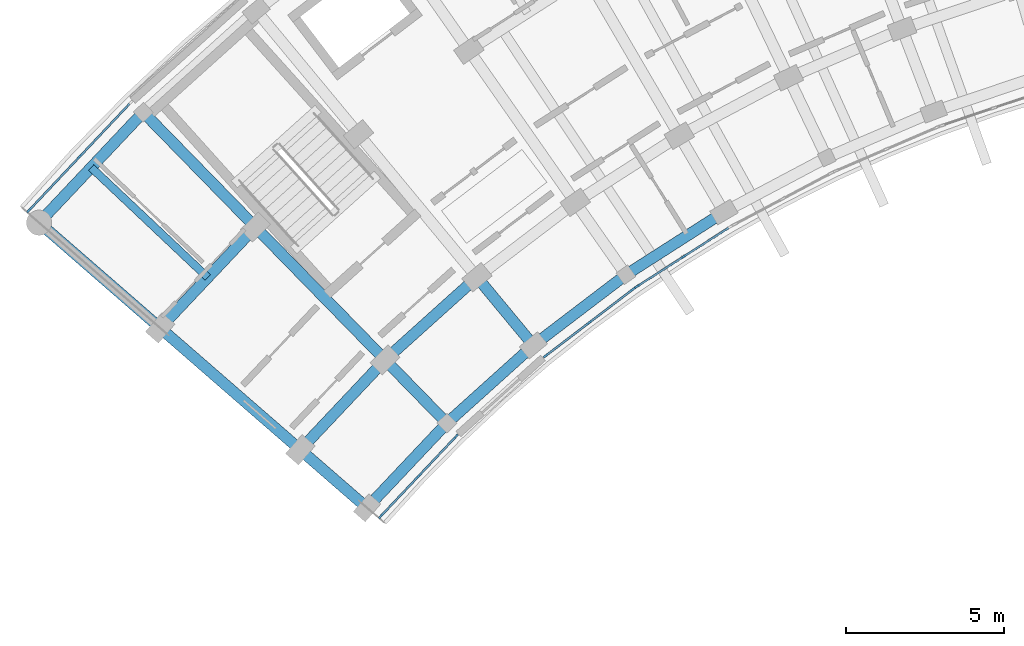
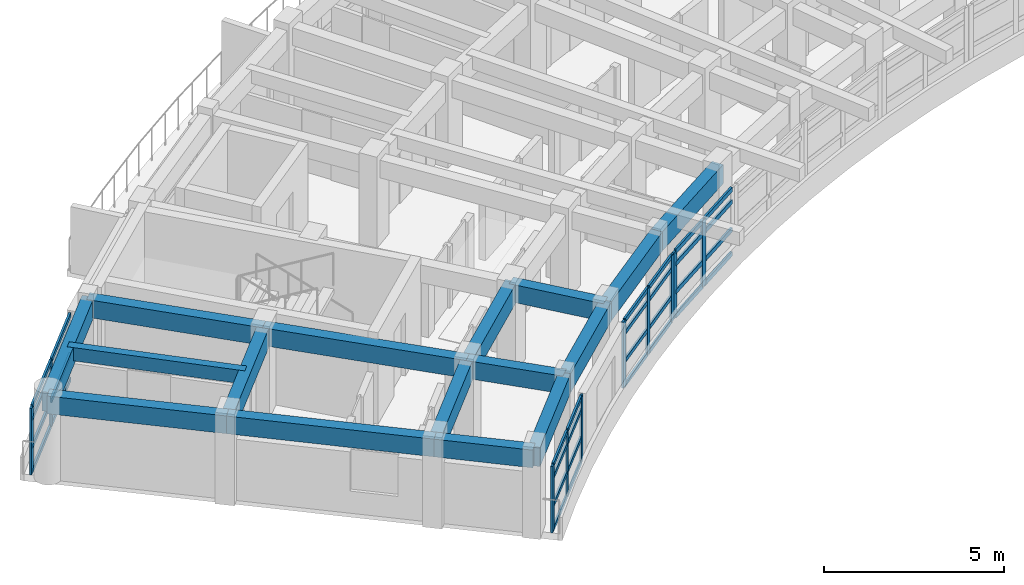
# One storey, part 3 of 55: 42 members, 16 beams, 4 elements without a shape of their own.
"""IFC4 building model written with IfcOpenShell, lengths in metres."""

from ifc_helpers import new_model, si_unit, direction, frame, origin, origin_2d, place, context, subcontext, project, spatial, rectangle, extrude, material, material_profile, profile_set, type_object, element, aggregate, save


model = new_model("IFC4")

# Units and contexts
model_context = context("Model", 3, precision=1e-05, world=origin(), true_north=direction((0.0, 1.0)))
body_context = subcontext(model_context, "Body", "Model", "MODEL_VIEW")
ifc_project = project(units=[si_unit("LENGTHUNIT", "METRE"), si_unit("AREAUNIT", "SQUARE_METRE"), si_unit("VOLUMEUNIT", "CUBIC_METRE"), si_unit("PLANEANGLEUNIT", "RADIAN"), si_unit("MASSUNIT", "GRAM", prefix="KILO")], contexts=[model_context])

# Site, building, storey
site_placement = place(None, origin())
site = spatial("IfcSite", under=ifc_project, at=site_placement, CompositionType="ELEMENT")
building_placement = place(site_placement, origin())
building = spatial("IfcBuilding", under=site, at=building_placement, Name="Zimvara Arc Housing Community", CompositionType="ELEMENT")
storey_placement = place(building_placement, frame((0.0, 0.0, 14.300048828125)))
storey = spatial("IfcBuildingStorey", under=building, at=storey_placement, Name="L04", CompositionType="ELEMENT", Elevation=14.300048828125)

# Beams
ifc_material_1 = material(Name="Concrete C40/50", Category="concrete")
ifc_material_profile_1 = material_profile(ifc_material_1, rectangle(XDim=0.25, YDim=0.449951171875, at=origin_2d()), Name="RC 250x450")
ifc_profile_set_1 = profile_set([ifc_material_profile_1], Name="Concrete C40/50")
beam_type_1 = type_object("IfcBeamType", Name="BM-RC-250x450", PredefinedType="JOIST", material=ifc_profile_set_1)
beam_1_placement = place(storey_placement, frame((5.904296875, 81.3935546875, 2.635009765625), z_axis=(-0.727299876429, 0.686319815936, 0.0), x_axis=(-0.686319815936, -0.727299876429, 0.0)))
element("IfcBeam", 1, at=beam_1_placement, inside=storey, type_object=beam_type_1, Name="bm:blkA:L04:joist:b0", PredefinedType="JOIST", context=body_context, shape_type="SweptSolid", body=[
    extrude(rectangle(XDim=0.25, YDim=0.449951171875, at=origin_2d()), origin(), (0.0, 0.0, 1.0), 5.075927734375),
])
ifc_material_2 = material(Name="Concrete C40/50", Category="concrete")
ifc_material_profile_2 = material_profile(ifc_material_2, rectangle(XDim=0.35009765625, YDim=0.60009765625, at=origin_2d()), Name="RC 350x600")
ifc_profile_set_2 = profile_set([ifc_material_profile_2], Name="Concrete C40/50")
beam_type_2 = type_object("IfcBeamType", Name="BM-RC-350x600", PredefinedType="BEAM", material=ifc_profile_set_2)
beam_2_placement = place(storey_placement, frame((10.947509765625, 74.101318359375, 2.56005859375), z_axis=(-0.754733151583, 0.656031912259, 0.0), x_axis=(-0.656031912259, -0.754733151583, 0.0)))
element("IfcBeam", 2, at=beam_2_placement, inside=storey, type_object=beam_type_2, Name="bm:blkA:L04:rad:b0:r01", PredefinedType="BEAM", context=body_context, shape_type="SweptSolid", body=[
    extrude(rectangle(XDim=0.35009765625, YDim=0.60009765625, at=origin_2d()), origin(), (0.0, 0.0, 1.0), 2.800048828125),
])
beam_3_placement = place(storey_placement, frame((8.834228515625, 75.938232421875, 2.56005859375), z_axis=(-0.754692223258, 0.656078995362, 0.0), x_axis=(-0.656078995362, -0.754692223258, 0.0)))
element("IfcBeam", 3, at=beam_3_placement, inside=storey, type_object=beam_type_2, Name="bm:blkA:L04:rad:b0:r12", PredefinedType="BEAM", context=body_context, shape_type="SweptSolid", body=[
    extrude(rectangle(XDim=0.35009765625, YDim=0.60009765625, at=origin_2d()), origin(), (0.0, 0.0, 1.0), 5.8798828125),
])
beam_4_placement = place(storey_placement, frame((4.396728515625, 79.7958984375, 2.56005859375), z_axis=(-0.754716217499, 0.656051393599, 0.0), x_axis=(-0.656051393599, -0.754716217499, 0.0)))
element("IfcBeam", 4, at=beam_4_placement, inside=storey, type_object=beam_type_2, Name="bm:blkA:L04:rad:b0:r23", PredefinedType="BEAM", context=body_context, shape_type="SweptSolid", body=[
    extrude(rectangle(XDim=0.35009765625, YDim=0.60009765625, at=origin_2d()), origin(), (0.0, 0.0, 1.0), 5.080078125),
])
beam_5_placement = place(storey_placement, frame((13.476318359375, 76.781005859375, 2.56005859375), z_axis=(-0.698643013894, 0.71547043205, 0.0), x_axis=(-0.71547043205, -0.698643013894, 0.0)))
element("IfcBeam", 5, at=beam_5_placement, inside=storey, type_object=beam_type_2, Name="bm:blkA:L04:rad:b1:r01", PredefinedType="BEAM", context=body_context, shape_type="SweptSolid", body=[
    extrude(rectangle(XDim=0.35009765625, YDim=0.60009765625, at=origin_2d()), origin(), (0.0, 0.0, 1.0), 2.800048828125),
])
beam_6_placement = place(storey_placement, frame((11.52001953125, 78.784423828125, 2.56005859375), z_axis=(-0.698669844288, 0.715444231707, 0.0), x_axis=(-0.715444231707, -0.698669844288, 0.0)))
element("IfcBeam", 6, at=beam_6_placement, inside=storey, type_object=beam_type_2, Name="bm:blkA:L04:rad:b1:r12", PredefinedType="BEAM", context=body_context, shape_type="SweptSolid", body=[
    extrude(rectangle(XDim=0.35009765625, YDim=0.60009765625, at=origin_2d()), origin(), (0.0, 0.0, 1.0), 5.8798828125),
])
beam_7_placement = place(storey_placement, frame((7.411865234375, 82.9912109375, 2.56005859375), z_axis=(-0.698670885014, 0.71544321538, 0.0), x_axis=(-0.71544321538, -0.698670885014, 0.0)))
element("IfcBeam", 7, at=beam_7_placement, inside=storey, type_object=beam_type_2, Name="bm:blkA:L04:rad:b1:r23", PredefinedType="BEAM", context=body_context, shape_type="SweptSolid", body=[
    extrude(rectangle(XDim=0.35009765625, YDim=0.60009765625, at=origin_2d()), origin(), (0.0, 0.0, 1.0), 5.080078125),
])
beam_8_placement = place(storey_placement, frame((16.215087890625, 79.245361328125, 2.56005859375), z_axis=(-0.637917412223, 0.770104781951, 0.0), x_axis=(-0.770104781951, -0.637917412223, 0.0)))
element("IfcBeam", 8, at=beam_8_placement, inside=storey, type_object=beam_type_2, Name="bm:blkA:L04:rad:b2:r01", PredefinedType="BEAM", context=body_context, shape_type="SweptSolid", body=[
    extrude(rectangle(XDim=0.35009765625, YDim=0.60009765625, at=origin_2d()), origin(), (0.0, 0.0, 1.0), 2.800048828125),
])
ifc_material_3 = material(Name="Concrete C40/50", Category="concrete")
ifc_material_profile_3 = material_profile(ifc_material_3, rectangle(XDim=0.35009765625, YDim=0.64990234375, at=origin_2d()), Name="RC 350x650")
ifc_profile_set_3 = profile_set([ifc_material_profile_3], Name="Concrete C40/50")
beam_type_3 = type_object("IfcBeamType", Name="BM-RC-350x650", PredefinedType="BEAM", material=ifc_profile_set_3)
beam_9_placement = place(storey_placement, frame((10.947509765625, 74.101318359375, 2.534912109375), z_axis=(0.686335517678, 0.727285059088, 0.0), x_axis=(-0.727285059088, 0.686335517678, 0.0)))
element("IfcBeam", 9, at=beam_9_placement, inside=storey, type_object=beam_type_3, Name="bm:blkA:L04:chord:r0:b0", PredefinedType="BEAM", context=body_context, shape_type="SweptSolid", body=[
    extrude(rectangle(XDim=0.35009765625, YDim=0.64990234375, at=origin_2d()), origin(), (0.0, 0.0, 1.0), 3.6845703125),
])
beam_10_placement = place(storey_placement, frame((13.476318359375, 76.781005859375, 2.534912109375), z_axis=(0.743366631239, 0.668884183966, 0.0), x_axis=(-0.668884183966, 0.743366631239, 0.0)))
element("IfcBeam", 10, at=beam_10_placement, inside=storey, type_object=beam_type_3, Name="bm:blkA:L04:chord:r0:b1", PredefinedType="BEAM", context=body_context, shape_type="SweptSolid", body=[
    extrude(rectangle(XDim=0.35009765625, YDim=0.64990234375, at=origin_2d()), origin(), (0.0, 0.0, 1.0), 3.684326171875),
])
beam_11_placement = place(storey_placement, frame((16.215087890625, 79.245361328125, 2.534912109375), z_axis=(0.795453014049, 0.606015265847, 0.0), x_axis=(-0.606015265847, 0.795453014049, 0.0)))
element("IfcBeam", 11, at=beam_11_placement, inside=storey, type_object=beam_type_3, Name="bm:blkA:L04:chord:r0:b2", PredefinedType="BEAM", context=body_context, shape_type="SweptSolid", body=[
    extrude(rectangle(XDim=0.35009765625, YDim=0.64990234375, at=origin_2d()), origin(), (0.0, 0.0, 1.0), 3.6845703125),
])
beam_12_placement = place(storey_placement, frame((19.14599609375, 81.478271484375, 2.534912109375), z_axis=(0.842272604079, 0.539051816079, 0.0), x_axis=(-0.539051816079, 0.842272604079, 0.0)))
element("IfcBeam", 12, at=beam_12_placement, inside=storey, type_object=beam_type_3, Name="bm:blkA:L04:chord:r0:b3", PredefinedType="BEAM", context=body_context, shape_type="SweptSolid", body=[
    extrude(rectangle(XDim=0.35009765625, YDim=0.64990234375, at=origin_2d()), origin(), (0.0, 0.0, 1.0), 3.684326171875),
])
beam_13_placement = place(storey_placement, frame((8.834228515625, 75.938232421875, 2.534912109375), z_axis=(0.686315710793, 0.727303750243, 0.0), x_axis=(-0.727303750243, 0.686315710793, 0.0)))
element("IfcBeam", 13, at=beam_13_placement, inside=storey, type_object=beam_type_3, Name="bm:blkA:L04:chord:r1:b0", PredefinedType="BEAM", context=body_context, shape_type="SweptSolid", body=[
    extrude(rectangle(XDim=0.35009765625, YDim=0.64990234375, at=origin_2d()), origin(), (0.0, 0.0, 1.0), 3.913330078125),
])
beam_14_placement = place(storey_placement, frame((11.52001953125, 78.784423828125, 2.534912109375), z_axis=(0.743402719516, 0.668844074965, 0.0), x_axis=(-0.668844074965, 0.743402719516, 0.0)))
element("IfcBeam", 14, at=beam_14_placement, inside=storey, type_object=beam_type_3, Name="bm:blkA:L04:chord:r1:b1", PredefinedType="BEAM", context=body_context, shape_type="SweptSolid", body=[
    extrude(rectangle(XDim=0.35009765625, YDim=0.64990234375, at=origin_2d()), origin(), (0.0, 0.0, 1.0), 3.9130859375),
])
beam_15_placement = place(storey_placement, frame((4.396728515625, 79.7958984375, 2.534912109375), z_axis=(0.686303637813, 0.727315142648, 0.0), x_axis=(-0.727315142648, 0.686303637813, 0.0)))
element("IfcBeam", 15, at=beam_15_placement, inside=storey, type_object=beam_type_3, Name="bm:blkA:L04:chord:r2:b0", PredefinedType="BEAM", context=body_context, shape_type="SweptSolid", body=[
    extrude(rectangle(XDim=0.35009765625, YDim=0.64990234375, at=origin_2d()), origin(), (0.0, 0.0, 1.0), 4.393310546875),
])
beam_16_placement = place(storey_placement, frame((0.562744140625, 83.128662109375, 2.534912109375), z_axis=(0.6862954451, 0.727322873307, 0.0), x_axis=(-0.727322873307, 0.6862954451, 0.0)))
element("IfcBeam", 16, at=beam_16_placement, inside=storey, type_object=beam_type_3, Name="bm:blkA:L04:chord:r3:b0", PredefinedType="BEAM", context=body_context, shape_type="SweptSolid", body=[
    extrude(rectangle(XDim=0.35009765625, YDim=0.64990234375, at=origin_2d()), origin(), (0.0, 0.0, 1.0), 4.80810546875),
])

# Curtain wall, members
ifc_material_4 = material(Name="Anodised Aluminium AW-6063", Category="aluminium")
curtain_wall_type_1 = type_object("IfcCurtainWallType", Name="CW-SYS-06", PredefinedType="USERDEFINED", material=ifc_material_4)
curtain_wall_1_placement = place(storey_placement, origin())
curtain_wall_1 = element("IfcCurtainWall", 17, at=curtain_wall_1_placement, inside=storey, type_object=curtain_wall_type_1, Name="cw:blkA:L04:in:b0", ObjectType="CURTAIN WALL", PredefinedType="USERDEFINED")
ifc_material_5 = material(Name="Anodised Aluminium AW-6063", Category="aluminium")
ifc_material_profile_4 = material_profile(ifc_material_5, rectangle(XDim=0.06494140625, YDim=0.179931640625, at=origin_2d()), Name="ALU 65x180")
ifc_profile_set_4 = profile_set([ifc_material_profile_4], Name="Anodised Aluminium AW-6063")
member_type_1 = type_object("IfcMemberType", Name="CWM-65x150", PredefinedType="MULLION", material=ifc_profile_set_4)
member_1_placement = place(storey_placement, frame((11.388427734375, 73.840576171875, 0.0), z_axis=(0.0, 0.0, 1.0), x_axis=(-0.727293280483, 0.686326805658, 0.0)))
member_1 = element("IfcMember", 18, at=member_1_placement, type_object=member_type_1, Name="CW06 mullion 1", PredefinedType="MULLION", context=body_context, shape_type="SweptSolid", body=[
    extrude(rectangle(XDim=0.06494140625, YDim=0.179931640625, at=origin_2d()), origin(), (0.0, 0.0, 1.0), 2.25),
])
member_2_placement = place(storey_placement, frame((12.5751953125, 75.098388671875, 0.0), z_axis=(0.0, 0.0, 1.0), x_axis=(-0.727293280483, 0.686326805658, 0.0)))
member_2 = element("IfcMember", 19, at=member_2_placement, type_object=member_type_1, Name="CW06 mullion 2", PredefinedType="MULLION", context=body_context, shape_type="SweptSolid", body=[
    extrude(rectangle(XDim=0.06494140625, YDim=0.179931640625, at=origin_2d()), origin(), (0.0, 0.0, 1.0), 2.25),
])
member_3_placement = place(storey_placement, frame((13.761962890625, 76.35595703125, 0.0), z_axis=(0.0, 0.0, 1.0), x_axis=(-0.727293280483, 0.686326805658, 0.0)))
member_3 = element("IfcMember", 20, at=member_3_placement, type_object=member_type_1, Name="CW06 mullion 3", PredefinedType="MULLION", context=body_context, shape_type="SweptSolid", body=[
    extrude(rectangle(XDim=0.06494140625, YDim=0.179931640625, at=origin_2d()), origin(), (0.0, 0.0, 1.0), 2.25),
])

ifc_material_6 = material(Name="Anodised Aluminium AW-6063", Category="aluminium")
curtain_wall_type_2 = type_object("IfcCurtainWallType", Name="CW-SYS-08", PredefinedType="USERDEFINED", material=ifc_material_6)
curtain_wall_2_placement = place(storey_placement, origin())
curtain_wall_2 = element("IfcCurtainWall", 21, at=curtain_wall_2_placement, inside=storey, type_object=curtain_wall_type_2, Name="cw:blkA:L04:in:b2", ObjectType="CURTAIN WALL", PredefinedType="USERDEFINED")
member_4_placement = place(storey_placement, frame((16.607666015625, 78.91650390625, 0.0), z_axis=(0.0, 0.0, 1.0), x_axis=(-0.605988318533, 0.795473543119, 0.0)))
member_4 = element("IfcMember", 22, at=member_4_placement, type_object=member_type_1, Name="CW08 mullion 1", PredefinedType="MULLION", context=body_context, shape_type="SweptSolid", body=[
    extrude(rectangle(XDim=0.06494140625, YDim=0.179931640625, at=origin_2d()), origin(), (0.0, 0.0, 1.0), 2.25),
])
member_5_placement = place(storey_placement, frame((17.9833984375, 79.96435546875, 0.0), z_axis=(0.0, 0.0, 1.0), x_axis=(-0.605988318533, 0.795473543119, 0.0)))
member_5 = element("IfcMember", 23, at=member_5_placement, type_object=member_type_1, Name="CW08 mullion 2", PredefinedType="MULLION", context=body_context, shape_type="SweptSolid", body=[
    extrude(rectangle(XDim=0.06494140625, YDim=0.179931640625, at=origin_2d()), origin(), (0.0, 0.0, 1.0), 2.25),
])
member_6_placement = place(storey_placement, frame((19.35888671875, 81.012451171875, 0.0), z_axis=(0.0, 0.0, 1.0), x_axis=(-0.605988318533, 0.795473543119, 0.0)))
member_6 = element("IfcMember", 24, at=member_6_placement, type_object=member_type_1, Name="CW08 mullion 3", PredefinedType="MULLION", context=body_context, shape_type="SweptSolid", body=[
    extrude(rectangle(XDim=0.06494140625, YDim=0.179931640625, at=origin_2d()), origin(), (0.0, 0.0, 1.0), 2.25),
])

ifc_material_7 = material(Name="Anodised Aluminium AW-6063", Category="aluminium")
curtain_wall_type_3 = type_object("IfcCurtainWallType", Name="CW-SYS-05", PredefinedType="USERDEFINED", material=ifc_material_7)
curtain_wall_3_placement = place(storey_placement, origin())
curtain_wall_3 = element("IfcCurtainWall", 25, at=curtain_wall_3_placement, inside=storey, type_object=curtain_wall_type_3, Name="cw:blkA:L04:out:b0", ObjectType="CURTAIN WALL", PredefinedType="USERDEFINED")
ifc_material_8 = material(Name="Anodised Aluminium AW-6063", Category="aluminium")
ifc_material_profile_5 = material_profile(ifc_material_8, rectangle(XDim=0.06494140625, YDim=0.195068359375, at=origin_2d()), Name="ALU 65x195")
ifc_profile_set_5 = profile_set([ifc_material_profile_5], Name="Anodised Aluminium AW-6063")
member_type_2 = type_object("IfcMemberType", Name="CWM-65x180", PredefinedType="MULLION", material=ifc_profile_set_5)
member_7_placement = place(storey_placement, frame((0.248779296875, 83.524169921875, 0.0), z_axis=(0.0, 0.0, 1.0), x_axis=(-0.727293647725, 0.686326416495, 0.0)))
member_7 = element("IfcMember", 26, at=member_7_placement, type_object=member_type_2, Name="CW05 mullion 1", PredefinedType="MULLION", context=body_context, shape_type="SweptSolid", body=[
    extrude(rectangle(XDim=0.06494140625, YDim=0.195068359375, at=origin_2d()), origin(), (0.0, 0.0, 1.0), 2.25),
])
member_8_placement = place(storey_placement, frame((1.849365234375, 85.219970703125, 0.0), z_axis=(0.0, 0.0, 1.0), x_axis=(-0.727293647725, 0.686326416495, 0.0)))
member_8 = element("IfcMember", 27, at=member_8_placement, type_object=member_type_2, Name="CW05 mullion 2", PredefinedType="MULLION", context=body_context, shape_type="SweptSolid", body=[
    extrude(rectangle(XDim=0.06494140625, YDim=0.195068359375, at=origin_2d()), origin(), (0.0, 0.0, 1.0), 2.25),
])

ifc_material_9 = material(Name="Anodised Aluminium AW-6063", Category="aluminium")
curtain_wall_type_4 = type_object("IfcCurtainWallType", Name="CW-SYS-01", PredefinedType="USERDEFINED", material=ifc_material_9)
curtain_wall_4_placement = place(storey_placement, origin())
curtain_wall_4 = element("IfcCurtainWall", 28, at=curtain_wall_4_placement, inside=storey, type_object=curtain_wall_type_4, Name="cw:blkA:L04:in:b3", ObjectType="CURTAIN WALL", PredefinedType="USERDEFINED")
member_9_placement = place(storey_placement, frame((19.510498046875, 81.118408203125, 0.0), z_axis=(0.0, 0.0, 1.0), x_axis=(-0.539064085203, 0.842264751752, 0.0)))
member_9 = element("IfcMember", 29, at=member_9_placement, type_object=member_type_2, Name="CW01 mullion 1", PredefinedType="MULLION", context=body_context, shape_type="SweptSolid", body=[
    extrude(rectangle(XDim=0.06494140625, YDim=0.195068359375, at=origin_2d()), origin(), (0.0, 0.0, 1.0), 2.25),
])
member_10_placement = place(storey_placement, frame((20.967041015625, 82.050537109375, 0.0), z_axis=(0.0, 0.0, 1.0), x_axis=(-0.539064085203, 0.842264751752, 0.0)))
member_10 = element("IfcMember", 30, at=member_10_placement, type_object=member_type_2, Name="CW01 mullion 2", PredefinedType="MULLION", context=body_context, shape_type="SweptSolid", body=[
    extrude(rectangle(XDim=0.06494140625, YDim=0.195068359375, at=origin_2d()), origin(), (0.0, 0.0, 1.0), 2.25),
])

# Member
ifc_material_10 = material(Name="Anodised Aluminium AW-6063", Category="aluminium")
ifc_material_profile_6 = material_profile(ifc_material_10, rectangle(XDim=0.06494140625, YDim=0.139892578125, at=origin_2d()), Name="ALU 65x140")
ifc_profile_set_6 = profile_set([ifc_material_profile_6], Name="Anodised Aluminium AW-6063")
member_type_3 = type_object("IfcMemberType", Name="CWT-65x120", PredefinedType="USERDEFINED", material=ifc_profile_set_6)
member_11_placement = place(storey_placement, frame((11.41064453125, 73.8642578125, 0.032470703125), z_axis=(0.686347817597, 0.727273451516, 0.0), x_axis=(-0.727273451516, 0.686347817597, 0.0)))
member_11 = element("IfcMember", 31, at=member_11_placement, type_object=member_type_3, Name="CW06 transom 1.1", ObjectType="TRANSOM", PredefinedType="USERDEFINED", context=body_context, shape_type="SweptSolid", body=[
    extrude(rectangle(XDim=0.06494140625, YDim=0.139892578125, at=origin_2d()), origin(), (0.0, 0.0, 1.0), 1.664306640625),
])

member_12_placement = place(storey_placement, frame((11.41064453125, 73.8642578125, 0.849853515625), z_axis=(0.686347817597, 0.727273451516, 0.0), x_axis=(-0.727273451516, 0.686347817597, 0.0)))
member_12 = element("IfcMember", 32, at=member_12_placement, type_object=member_type_3, Name="CW06 transom 1.2", ObjectType="TRANSOM", PredefinedType="USERDEFINED", context=body_context, shape_type="SweptSolid", body=[
    extrude(rectangle(XDim=0.06494140625, YDim=0.139892578125, at=origin_2d()), origin(), (0.0, 0.0, 1.0), 1.664306640625),
])

member_13_placement = place(storey_placement, frame((11.41064453125, 73.8642578125, 1.800048828125), z_axis=(0.686347817597, 0.727273451516, 0.0), x_axis=(-0.727273451516, 0.686347817597, 0.0)))
member_13 = element("IfcMember", 33, at=member_13_placement, type_object=member_type_3, Name="CW06 transom 1.3", ObjectType="TRANSOM", PredefinedType="USERDEFINED", context=body_context, shape_type="SweptSolid", body=[
    extrude(rectangle(XDim=0.06494140625, YDim=0.139892578125, at=origin_2d()), origin(), (0.0, 0.0, 1.0), 1.664306640625),
])

member_14_placement = place(storey_placement, frame((11.41064453125, 73.8642578125, 2.217529296875), z_axis=(0.686347817597, 0.727273451516, 0.0), x_axis=(-0.727273451516, 0.686347817597, 0.0)))
member_14 = element("IfcMember", 34, at=member_14_placement, type_object=member_type_3, Name="CW06 transom 1.4", ObjectType="TRANSOM", PredefinedType="USERDEFINED", context=body_context, shape_type="SweptSolid", body=[
    extrude(rectangle(XDim=0.06494140625, YDim=0.139892578125, at=origin_2d()), origin(), (0.0, 0.0, 1.0), 1.664306640625),
])

member_15_placement = place(storey_placement, frame((12.597412109375, 75.1220703125, 0.032470703125), z_axis=(0.686347817597, 0.727273451516, 0.0), x_axis=(-0.727273451516, 0.686347817597, 0.0)))
member_15 = element("IfcMember", 35, at=member_15_placement, type_object=member_type_3, Name="CW06 transom 2.1", ObjectType="TRANSOM", PredefinedType="USERDEFINED", context=body_context, shape_type="SweptSolid", body=[
    extrude(rectangle(XDim=0.06494140625, YDim=0.139892578125, at=origin_2d()), origin(), (0.0, 0.0, 1.0), 1.664306640625),
])

member_16_placement = place(storey_placement, frame((12.597412109375, 75.1220703125, 0.849853515625), z_axis=(0.686347817597, 0.727273451516, 0.0), x_axis=(-0.727273451516, 0.686347817597, 0.0)))
member_16 = element("IfcMember", 36, at=member_16_placement, type_object=member_type_3, Name="CW06 transom 2.2", ObjectType="TRANSOM", PredefinedType="USERDEFINED", context=body_context, shape_type="SweptSolid", body=[
    extrude(rectangle(XDim=0.06494140625, YDim=0.139892578125, at=origin_2d()), origin(), (0.0, 0.0, 1.0), 1.664306640625),
])

member_17_placement = place(storey_placement, frame((12.597412109375, 75.1220703125, 1.800048828125), z_axis=(0.686347817597, 0.727273451516, 0.0), x_axis=(-0.727273451516, 0.686347817597, 0.0)))
member_17 = element("IfcMember", 37, at=member_17_placement, type_object=member_type_3, Name="CW06 transom 2.3", ObjectType="TRANSOM", PredefinedType="USERDEFINED", context=body_context, shape_type="SweptSolid", body=[
    extrude(rectangle(XDim=0.06494140625, YDim=0.139892578125, at=origin_2d()), origin(), (0.0, 0.0, 1.0), 1.664306640625),
])

member_18_placement = place(storey_placement, frame((12.597412109375, 75.1220703125, 2.217529296875), z_axis=(0.686347817597, 0.727273451516, 0.0), x_axis=(-0.727273451516, 0.686347817597, 0.0)))
member_18 = element("IfcMember", 38, at=member_18_placement, type_object=member_type_3, Name="CW06 transom 2.4", ObjectType="TRANSOM", PredefinedType="USERDEFINED", context=body_context, shape_type="SweptSolid", body=[
    extrude(rectangle(XDim=0.06494140625, YDim=0.139892578125, at=origin_2d()), origin(), (0.0, 0.0, 1.0), 1.664306640625),
])

aggregate(curtain_wall_1, [member_1, member_2, member_3, member_11, member_12, member_13, member_14, member_15, member_16, member_17, member_18])

member_19_placement = place(storey_placement, frame((16.633544921875, 78.936279296875, 0.032470703125), z_axis=(0.795488960577, 0.605968079687, 0.0), x_axis=(-0.605968079687, 0.795488960577, 0.0)))
member_19 = element("IfcMember", 39, at=member_19_placement, type_object=member_type_3, Name="CW08 transom 1.1", ObjectType="TRANSOM", PredefinedType="USERDEFINED", context=body_context, shape_type="SweptSolid", body=[
    extrude(rectangle(XDim=0.06494140625, YDim=0.139892578125, at=origin_2d()), origin(), (0.0, 0.0, 1.0), 1.664306640625),
])

member_20_placement = place(storey_placement, frame((16.633544921875, 78.936279296875, 0.849853515625), z_axis=(0.795488960577, 0.605968079687, 0.0), x_axis=(-0.605968079687, 0.795488960577, 0.0)))
member_20 = element("IfcMember", 40, at=member_20_placement, type_object=member_type_3, Name="CW08 transom 1.2", ObjectType="TRANSOM", PredefinedType="USERDEFINED", context=body_context, shape_type="SweptSolid", body=[
    extrude(rectangle(XDim=0.06494140625, YDim=0.139892578125, at=origin_2d()), origin(), (0.0, 0.0, 1.0), 1.664306640625),
])

member_21_placement = place(storey_placement, frame((16.633544921875, 78.936279296875, 1.800048828125), z_axis=(0.795488960577, 0.605968079687, 0.0), x_axis=(-0.605968079687, 0.795488960577, 0.0)))
member_21 = element("IfcMember", 41, at=member_21_placement, type_object=member_type_3, Name="CW08 transom 1.3", ObjectType="TRANSOM", PredefinedType="USERDEFINED", context=body_context, shape_type="SweptSolid", body=[
    extrude(rectangle(XDim=0.06494140625, YDim=0.139892578125, at=origin_2d()), origin(), (0.0, 0.0, 1.0), 1.664306640625),
])

member_22_placement = place(storey_placement, frame((16.633544921875, 78.936279296875, 2.217529296875), z_axis=(0.795488960577, 0.605968079687, 0.0), x_axis=(-0.605968079687, 0.795488960577, 0.0)))
member_22 = element("IfcMember", 42, at=member_22_placement, type_object=member_type_3, Name="CW08 transom 1.4", ObjectType="TRANSOM", PredefinedType="USERDEFINED", context=body_context, shape_type="SweptSolid", body=[
    extrude(rectangle(XDim=0.06494140625, YDim=0.139892578125, at=origin_2d()), origin(), (0.0, 0.0, 1.0), 1.664306640625),
])

member_23_placement = place(storey_placement, frame((18.00927734375, 79.984130859375, 0.032470703125), z_axis=(0.795435087713, 0.606038795157, 0.0), x_axis=(-0.606038795157, 0.795435087713, 0.0)))
member_23 = element("IfcMember", 43, at=member_23_placement, type_object=member_type_3, Name="CW08 transom 2.1", ObjectType="TRANSOM", PredefinedType="USERDEFINED", context=body_context, shape_type="SweptSolid", body=[
    extrude(rectangle(XDim=0.06494140625, YDim=0.139892578125, at=origin_2d()), origin(), (0.0, 0.0, 1.0), 1.6640625),
])

member_24_placement = place(storey_placement, frame((18.00927734375, 79.984130859375, 0.849853515625), z_axis=(0.795435087713, 0.606038795157, 0.0), x_axis=(-0.606038795157, 0.795435087713, 0.0)))
member_24 = element("IfcMember", 44, at=member_24_placement, type_object=member_type_3, Name="CW08 transom 2.2", ObjectType="TRANSOM", PredefinedType="USERDEFINED", context=body_context, shape_type="SweptSolid", body=[
    extrude(rectangle(XDim=0.06494140625, YDim=0.139892578125, at=origin_2d()), origin(), (0.0, 0.0, 1.0), 1.6640625),
])

member_25_placement = place(storey_placement, frame((18.00927734375, 79.984130859375, 1.800048828125), z_axis=(0.795435087713, 0.606038795157, 0.0), x_axis=(-0.606038795157, 0.795435087713, 0.0)))
member_25 = element("IfcMember", 45, at=member_25_placement, type_object=member_type_3, Name="CW08 transom 2.3", ObjectType="TRANSOM", PredefinedType="USERDEFINED", context=body_context, shape_type="SweptSolid", body=[
    extrude(rectangle(XDim=0.06494140625, YDim=0.139892578125, at=origin_2d()), origin(), (0.0, 0.0, 1.0), 1.6640625),
])

member_26_placement = place(storey_placement, frame((18.00927734375, 79.984130859375, 2.217529296875), z_axis=(0.795435087713, 0.606038795157, 0.0), x_axis=(-0.606038795157, 0.795435087713, 0.0)))
member_26 = element("IfcMember", 46, at=member_26_placement, type_object=member_type_3, Name="CW08 transom 2.4", ObjectType="TRANSOM", PredefinedType="USERDEFINED", context=body_context, shape_type="SweptSolid", body=[
    extrude(rectangle(XDim=0.06494140625, YDim=0.139892578125, at=origin_2d()), origin(), (0.0, 0.0, 1.0), 1.6640625),
])

aggregate(curtain_wall_2, [member_4, member_5, member_6, member_19, member_20, member_21, member_22, member_23, member_24, member_25, member_26])

ifc_material_11 = material(Name="Anodised Aluminium AW-6063", Category="aluminium")
ifc_material_profile_7 = material_profile(ifc_material_11, rectangle(XDim=0.06494140625, YDim=0.155029296875, at=origin_2d()), Name="ALU 65x155")
ifc_profile_set_7 = profile_set([ifc_material_profile_7], Name="Anodised Aluminium AW-6063")
member_type_4 = type_object("IfcMemberType", Name="CWT-65x140", PredefinedType="USERDEFINED", material=ifc_profile_set_7)
member_27_placement = place(storey_placement, frame((0.271240234375, 83.547607421875, 0.032470703125), z_axis=(0.68623762882, 0.727377423894, 0.0), x_axis=(-0.727377423894, 0.68623762882, 0.0)))
member_27 = element("IfcMember", 47, at=member_27_placement, type_object=member_type_4, Name="CW05 transom 1.1", ObjectType="TRANSOM", PredefinedType="USERDEFINED", context=body_context, shape_type="SweptSolid", body=[
    extrude(rectangle(XDim=0.06494140625, YDim=0.155029296875, at=origin_2d()), origin(), (0.0, 0.0, 1.0), 2.266845703125),
])

member_28_placement = place(storey_placement, frame((0.271240234375, 83.547607421875, 0.849853515625), z_axis=(0.68623762882, 0.727377423894, 0.0), x_axis=(-0.727377423894, 0.68623762882, 0.0)))
member_28 = element("IfcMember", 48, at=member_28_placement, type_object=member_type_4, Name="CW05 transom 1.2", ObjectType="TRANSOM", PredefinedType="USERDEFINED", context=body_context, shape_type="SweptSolid", body=[
    extrude(rectangle(XDim=0.06494140625, YDim=0.155029296875, at=origin_2d()), origin(), (0.0, 0.0, 1.0), 2.266845703125),
])

member_29_placement = place(storey_placement, frame((0.271240234375, 83.547607421875, 1.800048828125), z_axis=(0.68623762882, 0.727377423894, 0.0), x_axis=(-0.727377423894, 0.68623762882, 0.0)))
member_29 = element("IfcMember", 49, at=member_29_placement, type_object=member_type_4, Name="CW05 transom 1.3", ObjectType="TRANSOM", PredefinedType="USERDEFINED", context=body_context, shape_type="SweptSolid", body=[
    extrude(rectangle(XDim=0.06494140625, YDim=0.155029296875, at=origin_2d()), origin(), (0.0, 0.0, 1.0), 2.266845703125),
])

member_30_placement = place(storey_placement, frame((0.271240234375, 83.547607421875, 2.217529296875), z_axis=(0.68623762882, 0.727377423894, 0.0), x_axis=(-0.727377423894, 0.68623762882, 0.0)))
member_30 = element("IfcMember", 50, at=member_30_placement, type_object=member_type_4, Name="CW05 transom 1.4", ObjectType="TRANSOM", PredefinedType="USERDEFINED", context=body_context, shape_type="SweptSolid", body=[
    extrude(rectangle(XDim=0.06494140625, YDim=0.155029296875, at=origin_2d()), origin(), (0.0, 0.0, 1.0), 2.266845703125),
])

member_31_placement = place(storey_placement, frame((1.87158203125, 85.24365234375, 0.032470703125), z_axis=(0.686348357589, 0.727272941911, 0.0), x_axis=(-0.727272941911, 0.686348357589, 0.0)))
member_31 = element("IfcMember", 51, at=member_31_placement, type_object=member_type_4, Name="CW05 transom 2.1", ObjectType="TRANSOM", PredefinedType="USERDEFINED", context=body_context, shape_type="SweptSolid", body=[
    extrude(rectangle(XDim=0.06494140625, YDim=0.155029296875, at=origin_2d()), origin(), (0.0, 0.0, 1.0), 2.266845703125),
])

member_32_placement = place(storey_placement, frame((1.87158203125, 85.24365234375, 0.849853515625), z_axis=(0.686348357589, 0.727272941911, 0.0), x_axis=(-0.727272941911, 0.686348357589, 0.0)))
member_32 = element("IfcMember", 52, at=member_32_placement, type_object=member_type_4, Name="CW05 transom 2.2", ObjectType="TRANSOM", PredefinedType="USERDEFINED", context=body_context, shape_type="SweptSolid", body=[
    extrude(rectangle(XDim=0.06494140625, YDim=0.155029296875, at=origin_2d()), origin(), (0.0, 0.0, 1.0), 2.266845703125),
])

member_33_placement = place(storey_placement, frame((1.87158203125, 85.24365234375, 1.800048828125), z_axis=(0.686348357589, 0.727272941911, 0.0), x_axis=(-0.727272941911, 0.686348357589, 0.0)))
member_33 = element("IfcMember", 53, at=member_33_placement, type_object=member_type_4, Name="CW05 transom 2.3", ObjectType="TRANSOM", PredefinedType="USERDEFINED", context=body_context, shape_type="SweptSolid", body=[
    extrude(rectangle(XDim=0.06494140625, YDim=0.155029296875, at=origin_2d()), origin(), (0.0, 0.0, 1.0), 2.266845703125),
])

member_34_placement = place(storey_placement, frame((1.87158203125, 85.24365234375, 2.217529296875), z_axis=(0.686348357589, 0.727272941911, 0.0), x_axis=(-0.727272941911, 0.686348357589, 0.0)))
member_34 = element("IfcMember", 54, at=member_34_placement, type_object=member_type_4, Name="CW05 transom 2.4", ObjectType="TRANSOM", PredefinedType="USERDEFINED", context=body_context, shape_type="SweptSolid", body=[
    extrude(rectangle(XDim=0.06494140625, YDim=0.155029296875, at=origin_2d()), origin(), (0.0, 0.0, 1.0), 2.266845703125),
])

aggregate(curtain_wall_3, [member_7, member_8, member_27, member_28, member_29, member_30, member_31, member_32, member_33, member_34])

member_35_placement = place(storey_placement, frame((19.537841796875, 81.1357421875, 0.032470703125), z_axis=(0.842263408668, 0.539066183709, 0.0), x_axis=(-0.539066183709, 0.842263408668, 0.0)))
member_35 = element("IfcMember", 55, at=member_35_placement, type_object=member_type_4, Name="CW01 transom 1.1", ObjectType="TRANSOM", PredefinedType="USERDEFINED", context=body_context, shape_type="SweptSolid", body=[
    extrude(rectangle(XDim=0.06494140625, YDim=0.155029296875, at=origin_2d()), origin(), (0.0, 0.0, 1.0), 1.664306640625),
])

member_36_placement = place(storey_placement, frame((19.537841796875, 81.1357421875, 0.849853515625), z_axis=(0.842263408668, 0.539066183709, 0.0), x_axis=(-0.539066183709, 0.842263408668, 0.0)))
member_36 = element("IfcMember", 56, at=member_36_placement, type_object=member_type_4, Name="CW01 transom 1.2", ObjectType="TRANSOM", PredefinedType="USERDEFINED", context=body_context, shape_type="SweptSolid", body=[
    extrude(rectangle(XDim=0.06494140625, YDim=0.155029296875, at=origin_2d()), origin(), (0.0, 0.0, 1.0), 1.664306640625),
])

member_37_placement = place(storey_placement, frame((19.537841796875, 81.1357421875, 1.800048828125), z_axis=(0.842263408668, 0.539066183709, 0.0), x_axis=(-0.539066183709, 0.842263408668, 0.0)))
member_37 = element("IfcMember", 57, at=member_37_placement, type_object=member_type_4, Name="CW01 transom 1.3", ObjectType="TRANSOM", PredefinedType="USERDEFINED", context=body_context, shape_type="SweptSolid", body=[
    extrude(rectangle(XDim=0.06494140625, YDim=0.155029296875, at=origin_2d()), origin(), (0.0, 0.0, 1.0), 1.664306640625),
])

member_38_placement = place(storey_placement, frame((19.537841796875, 81.1357421875, 2.217529296875), z_axis=(0.842263408668, 0.539066183709, 0.0), x_axis=(-0.539066183709, 0.842263408668, 0.0)))
member_38 = element("IfcMember", 58, at=member_38_placement, type_object=member_type_4, Name="CW01 transom 1.4", ObjectType="TRANSOM", PredefinedType="USERDEFINED", context=body_context, shape_type="SweptSolid", body=[
    extrude(rectangle(XDim=0.06494140625, YDim=0.155029296875, at=origin_2d()), origin(), (0.0, 0.0, 1.0), 1.664306640625),
])

member_39_placement = place(storey_placement, frame((20.994384765625, 82.068115234375, 0.032470703125), z_axis=(0.842330007588, 0.538962112135, 0.0), x_axis=(-0.538962112135, 0.842330007588, 0.0)))
member_39 = element("IfcMember", 59, at=member_39_placement, type_object=member_type_4, Name="CW01 transom 2.1", ObjectType="TRANSOM", PredefinedType="USERDEFINED", context=body_context, shape_type="SweptSolid", body=[
    extrude(rectangle(XDim=0.06494140625, YDim=0.155029296875, at=origin_2d()), origin(), (0.0, 0.0, 1.0), 1.664306640625),
])

member_40_placement = place(storey_placement, frame((20.994384765625, 82.068115234375, 0.849853515625), z_axis=(0.842330007588, 0.538962112135, 0.0), x_axis=(-0.538962112135, 0.842330007588, 0.0)))
member_40 = element("IfcMember", 60, at=member_40_placement, type_object=member_type_4, Name="CW01 transom 2.2", ObjectType="TRANSOM", PredefinedType="USERDEFINED", context=body_context, shape_type="SweptSolid", body=[
    extrude(rectangle(XDim=0.06494140625, YDim=0.155029296875, at=origin_2d()), origin(), (0.0, 0.0, 1.0), 1.664306640625),
])

member_41_placement = place(storey_placement, frame((20.994384765625, 82.068115234375, 1.800048828125), z_axis=(0.842330007588, 0.538962112135, 0.0), x_axis=(-0.538962112135, 0.842330007588, 0.0)))
member_41 = element("IfcMember", 61, at=member_41_placement, type_object=member_type_4, Name="CW01 transom 2.3", ObjectType="TRANSOM", PredefinedType="USERDEFINED", context=body_context, shape_type="SweptSolid", body=[
    extrude(rectangle(XDim=0.06494140625, YDim=0.155029296875, at=origin_2d()), origin(), (0.0, 0.0, 1.0), 1.664306640625),
])

member_42_placement = place(storey_placement, frame((20.994384765625, 82.068115234375, 2.217529296875), z_axis=(0.842330007588, 0.538962112135, 0.0), x_axis=(-0.538962112135, 0.842330007588, 0.0)))
member_42 = element("IfcMember", 62, at=member_42_placement, type_object=member_type_4, Name="CW01 transom 2.4", ObjectType="TRANSOM", PredefinedType="USERDEFINED", context=body_context, shape_type="SweptSolid", body=[
    extrude(rectangle(XDim=0.06494140625, YDim=0.155029296875, at=origin_2d()), origin(), (0.0, 0.0, 1.0), 1.664306640625),
])

aggregate(curtain_wall_4, [member_9, member_10, member_35, member_36, member_37, member_38, member_39, member_40, member_41, member_42])

save(model, "model.ifc")
